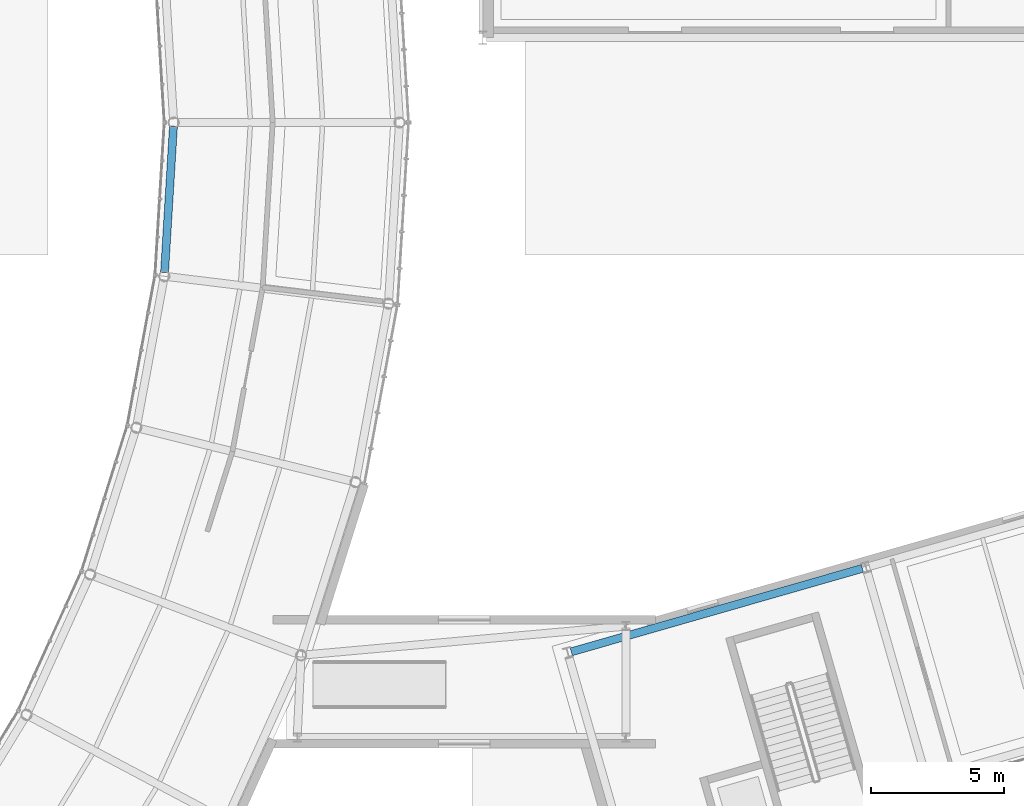
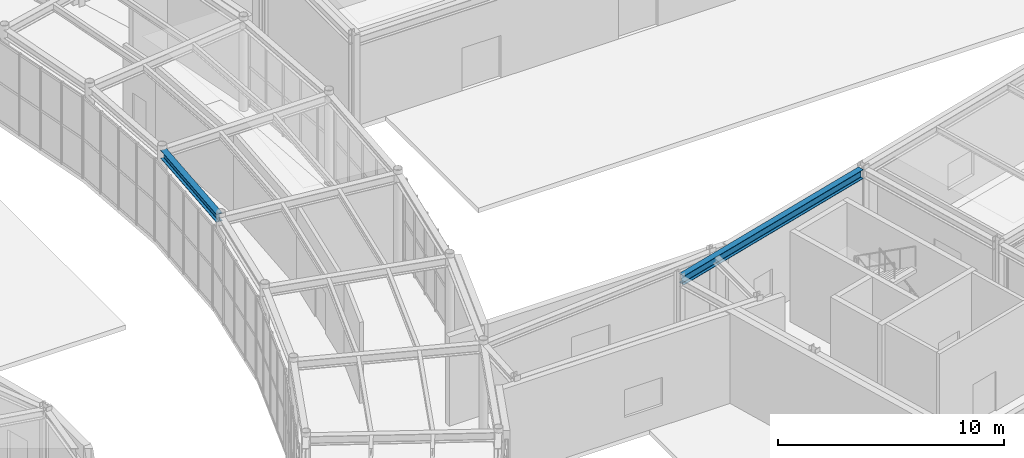
# One storey, part 37 of 97: 2 beams.
"""IFC4 building model written with IfcOpenShell, lengths in metres."""

from ifc_helpers import new_model, si_unit, direction, frame, origin, origin_2d, place, context, subcontext, project, spatial, i_section, extrude, material, material_profile, profile_set, type_object, element, save


model = new_model("IFC4")

# Units and contexts
model_context = context("Model", 3, precision=1e-05, world=origin(), true_north=direction((0.0, 1.0)))
body_context = subcontext(model_context, "Body", "Model", "MODEL_VIEW")
ifc_project = project(units=[si_unit("LENGTHUNIT", "METRE"), si_unit("AREAUNIT", "SQUARE_METRE"), si_unit("VOLUMEUNIT", "CUBIC_METRE"), si_unit("PLANEANGLEUNIT", "RADIAN"), si_unit("MASSUNIT", "GRAM", prefix="KILO")], contexts=[model_context])

# Site, building, storey
site_placement = place(None, origin())
site = spatial("IfcSite", under=ifc_project, at=site_placement, CompositionType="ELEMENT")
building_placement = place(site_placement, origin())
building = spatial("IfcBuilding", under=site, at=building_placement, Name="Varnklinge Art Gallery", CompositionType="ELEMENT")
storey_placement = place(building_placement, origin())
storey = spatial("IfcBuildingStorey", under=building, at=storey_placement, Name="L00", CompositionType="ELEMENT", Elevation=0.0)

# Beams
ifc_material_1 = material(Name="Steel S355", Category="steel")
ifc_material_profile_1 = material_profile(ifc_material_1, i_section(OverallWidth=0.300048828125, OverallDepth=0.489990234375, WebThickness=0.011962890625, FlangeThickness=0.02294921875, FilletRadius=0.027099609375, at=origin_2d()), Name="HEA 500")
ifc_profile_set_1 = profile_set([ifc_material_profile_1], Name="Steel S355")
beam_type_1 = type_object("IfcBeamType", Name="BM-07", PredefinedType="BEAM", material=ifc_profile_set_1)
beam_1_placement = place(storey_placement, frame((117.740478515625, 35.03173828125, 4.635009765625), z_axis=(0.961257274888, 0.275652773383, 0.0), x_axis=(-0.275652773383, 0.961257274888, 0.0)))
element("IfcBeam", 1, at=beam_1_placement, inside=storey, type_object=beam_type_1, Name="L00 BM-07 BM-V6-L01-U3-0", PredefinedType="BEAM", context=body_context, shape_type="SweptSolid", body=[
    extrude(i_section(OverallWidth=0.300048828125, OverallDepth=0.489990234375, WebThickness=0.011962890625, FlangeThickness=0.02294921875, FilletRadius=0.027099609375, at=origin_2d()), origin(), (0.0, 0.0, 1.0), 11.419921875),
])
ifc_material_2 = material(Name="Steel S355", Category="steel")
ifc_material_profile_2 = material_profile(ifc_material_2, i_section(OverallWidth=0.300048828125, OverallDepth=0.43994140625, WebThickness=0.011474609375, FlangeThickness=0.02099609375, FilletRadius=0.027099609375, at=origin_2d()), Name="HEA 450")
ifc_profile_set_2 = profile_set([ifc_material_profile_2], Name="Steel S355")
beam_type_2 = type_object("IfcBeamType", Name="SPB-02", PredefinedType="SPANDREL", material=ifc_profile_set_2)
beam_2_placement = place(storey_placement, frame((102.396484375, 49.3408203125, 4.659912109375), z_axis=(0.06083896784, 0.998147594293, 0.0), x_axis=(-0.998147594293, 0.06083896784, 0.0)))
element("IfcBeam", 2, at=beam_2_placement, inside=storey, type_object=beam_type_2, Name="L00 SPB-02 BM-V2-L01-I06", PredefinedType="SPANDREL", context=body_context, shape_type="SweptSolid", body=[
    extrude(i_section(OverallWidth=0.300048828125, OverallDepth=0.43994140625, WebThickness=0.011474609375, FlangeThickness=0.02099609375, FilletRadius=0.027099609375, at=origin_2d()), origin(), (0.0, 0.0, 1.0), 5.52978515625),
])

save(model, "model.ifc")
